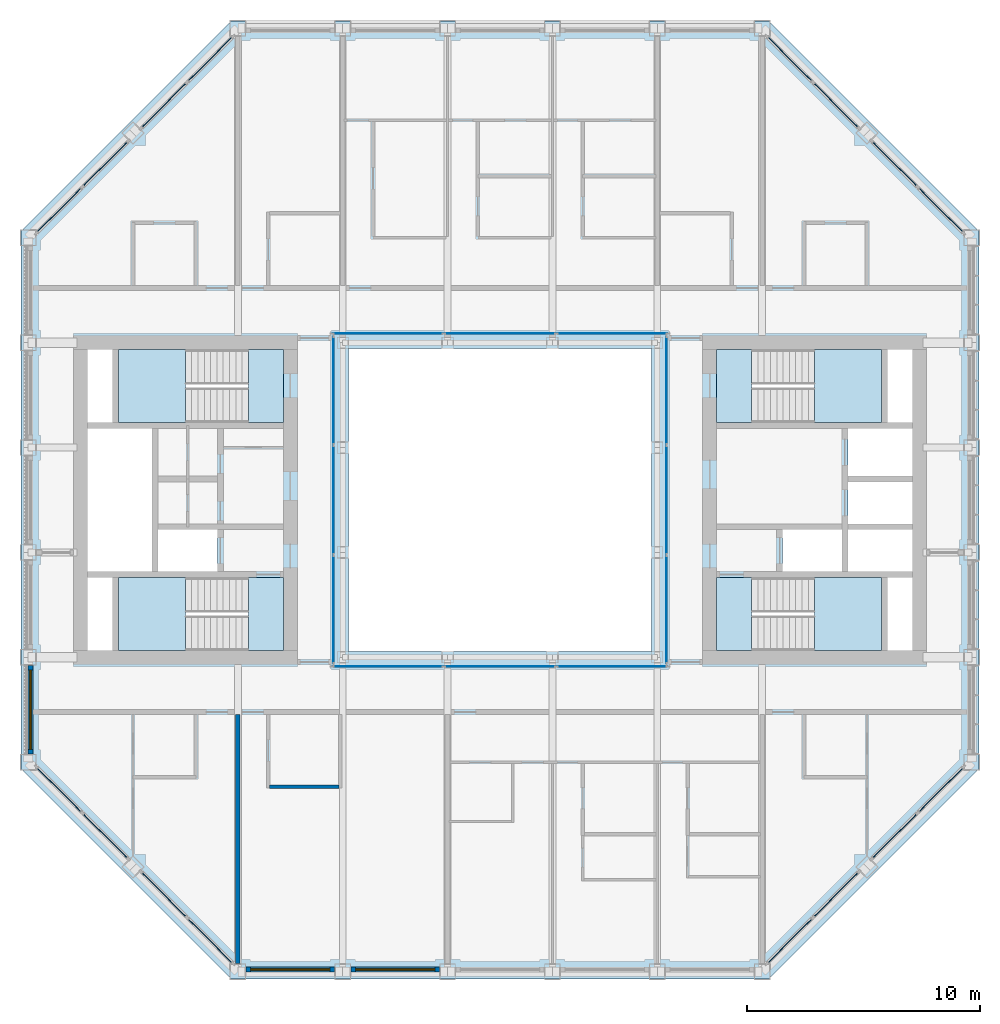
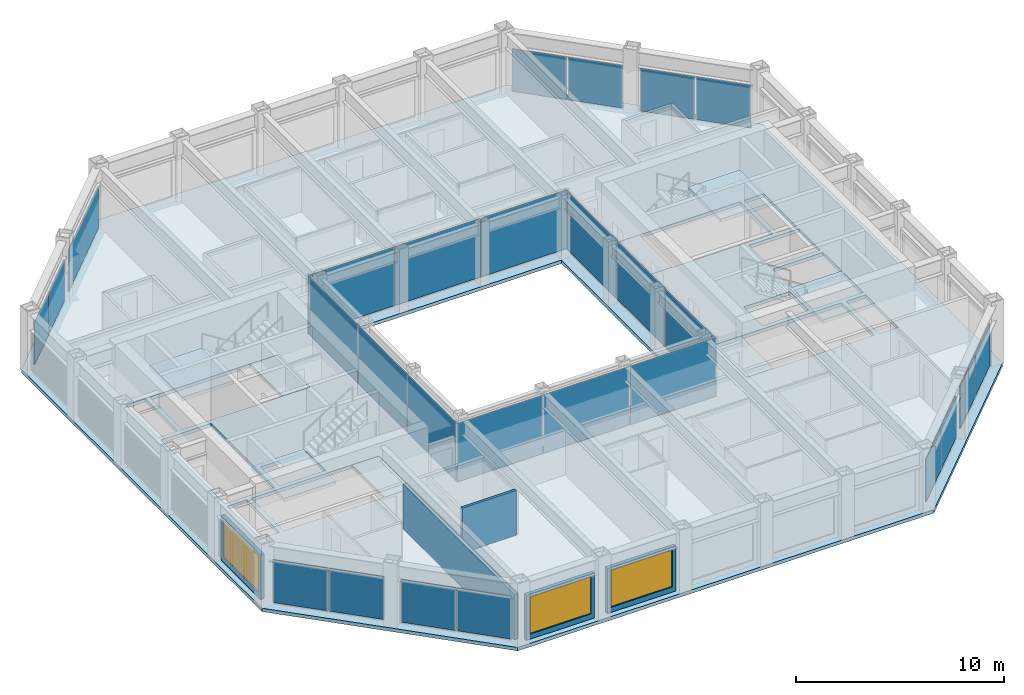
# One storey, part 8 of 17: 28 plates, 9 slabs, 5 walls, 3 windows, 3 openings, 16 elements without a shape of their own.
"""IFC4 building model written with IfcOpenShell, lengths in metres."""

from ifc_helpers import new_model, si_unit, direction, frame, frame_2d, origin, origin_2d, place, context, subcontext, project, spatial, polyline, rectangle, outline, extrude, material, layer, layer_set, type_object, element, fill, aggregate, save


model = new_model("IFC4")

# Units and contexts
model_context = context("Model", 3, precision=1e-05, world=origin(), true_north=direction((0.0, 1.0)))
body_context = subcontext(model_context, "Body", "Model", "MODEL_VIEW")
ifc_project = project(units=[si_unit("LENGTHUNIT", "METRE"), si_unit("AREAUNIT", "SQUARE_METRE"), si_unit("VOLUMEUNIT", "CUBIC_METRE"), si_unit("PLANEANGLEUNIT", "RADIAN"), si_unit("MASSUNIT", "GRAM", prefix="KILO")], contexts=[model_context])

# Site, building, storey
site_placement = place(None, origin())
site = spatial("IfcSite", under=ifc_project, at=site_placement, CompositionType="ELEMENT")
building_placement = place(site_placement, origin())
building = spatial("IfcBuilding", under=site, at=building_placement, Name="Msasa Ring Tower", CompositionType="ELEMENT")
storey_placement = place(building_placement, frame((0.0, 0.0, 238.300048828125)))
storey = spatial("IfcBuildingStorey", under=building, at=storey_placement, Name="L62", CompositionType="ELEMENT", Elevation=238.300048828125)

# Curtain wall, plates
ifc_material_1 = material(Name="Aluminium curtain wall with clear glass", Category="aluminium")
curtain_wall_type_1 = type_object("IfcCurtainWallType", Name="CW-C CHAMFER CORNER CURTAIN WALL", PredefinedType="NOTDEFINED", material=ifc_material_1)
curtain_wall_1_placement = place(storey_placement, origin())
curtain_wall_1 = element("IfcCurtainWall", 1, at=curtain_wall_1_placement, inside=storey, type_object=curtain_wall_type_1, Name="Chamfer corner curtain wall SE L62", PredefinedType="NOTDEFINED")
ifc_material_2 = material(Name="Clear laminated insulating glass unit", Category="glass")
ifc_layer_1 = layer(ifc_material_2, 0.031982421875)
ifc_layer_set_1 = layer_set([ifc_layer_1], Name="CW-C GLASS PANEL 32")
plate_type_1 = type_object("IfcPlateType", Name="CW-C GLASS PANEL 32", PredefinedType="CURTAIN_PANEL", material=ifc_layer_set_1)
plate_1_placement = place(storey_placement, frame((12.44140625, -18.917236328125, 0.06494140625), z_axis=(0.0, 0.0, 1.0), x_axis=(0.707106781187, 0.707106781187, 0.0)))
plate_1 = element("IfcPlate", 2, at=plate_1_placement, type_object=plate_type_1, Name="CW-C panel 1.1", PredefinedType="CURTAIN_PANEL", context=body_context, shape_type="SweptSolid", body=[
    extrude(rectangle(XDim=2.7294921875, YDim=0.031982421875, at=origin_2d()), origin(), (0.0, 0.0, 1.0), 2.4990234375),
])
plate_2_placement = place(storey_placement, frame((14.417236328125, -16.94140625, 0.06494140625), z_axis=(0.0, 0.0, 1.0), x_axis=(0.707106781187, 0.707106781187, 0.0)))
plate_2 = element("IfcPlate", 3, at=plate_2_placement, type_object=plate_type_1, Name="CW-C panel 2.1", PredefinedType="CURTAIN_PANEL", context=body_context, shape_type="SweptSolid", body=[
    extrude(rectangle(XDim=2.7294921875, YDim=0.031982421875, at=origin_2d()), origin(), (0.0, 0.0, 1.0), 2.4990234375),
])
aggregate(curtain_wall_1, [plate_1, plate_2])

curtain_wall_2_placement = place(storey_placement, origin())
curtain_wall_2 = element("IfcCurtainWall", 4, at=curtain_wall_2_placement, inside=storey, type_object=curtain_wall_type_1, Name="Chamfer corner curtain wall SE L62", PredefinedType="NOTDEFINED")
plate_3_placement = place(storey_placement, frame((16.94140625, -14.417236328125, 0.06494140625), z_axis=(0.0, 0.0, 1.0), x_axis=(0.707106781187, 0.707106781187, 0.0)))
plate_3 = element("IfcPlate", 5, at=plate_3_placement, type_object=plate_type_1, Name="CW-C panel 1.1", PredefinedType="CURTAIN_PANEL", context=body_context, shape_type="SweptSolid", body=[
    extrude(rectangle(XDim=2.7294921875, YDim=0.031982421875, at=origin_2d()), origin(), (0.0, 0.0, 1.0), 2.4990234375),
])
plate_4_placement = place(storey_placement, frame((18.917236328125, -12.44140625, 0.06494140625), z_axis=(0.0, 0.0, 1.0), x_axis=(0.707106781187, 0.707106781187, 0.0)))
plate_4 = element("IfcPlate", 6, at=plate_4_placement, type_object=plate_type_1, Name="CW-C panel 2.1", PredefinedType="CURTAIN_PANEL", context=body_context, shape_type="SweptSolid", body=[
    extrude(rectangle(XDim=2.7294921875, YDim=0.031982421875, at=origin_2d()), origin(), (0.0, 0.0, 1.0), 2.4990234375),
])
aggregate(curtain_wall_2, [plate_3, plate_4])

curtain_wall_3_placement = place(storey_placement, origin())
curtain_wall_3 = element("IfcCurtainWall", 7, at=curtain_wall_3_placement, inside=storey, type_object=curtain_wall_type_1, Name="Chamfer corner curtain wall NE L62", PredefinedType="NOTDEFINED")
plate_5_placement = place(storey_placement, frame((14.417236328125, 16.94140625, 0.06494140625), z_axis=(0.0, 0.0, 1.0), x_axis=(-0.707106781187, 0.707106781187, 0.0)))
plate_5 = element("IfcPlate", 8, at=plate_5_placement, type_object=plate_type_1, Name="CW-C panel 1.1", PredefinedType="CURTAIN_PANEL", context=body_context, shape_type="SweptSolid", body=[
    extrude(rectangle(XDim=2.7294921875, YDim=0.031982421875, at=origin_2d()), origin(), (0.0, 0.0, 1.0), 2.4990234375),
])
plate_6_placement = place(storey_placement, frame((12.44140625, 18.917236328125, 0.06494140625), z_axis=(0.0, 0.0, 1.0), x_axis=(-0.707106781187, 0.707106781187, 0.0)))
plate_6 = element("IfcPlate", 9, at=plate_6_placement, type_object=plate_type_1, Name="CW-C panel 2.1", PredefinedType="CURTAIN_PANEL", context=body_context, shape_type="SweptSolid", body=[
    extrude(rectangle(XDim=2.7294921875, YDim=0.031982421875, at=origin_2d()), origin(), (0.0, 0.0, 1.0), 2.4990234375),
])
aggregate(curtain_wall_3, [plate_5, plate_6])

curtain_wall_4_placement = place(storey_placement, origin())
curtain_wall_4 = element("IfcCurtainWall", 10, at=curtain_wall_4_placement, inside=storey, type_object=curtain_wall_type_1, Name="Chamfer corner curtain wall NE L62", PredefinedType="NOTDEFINED")
plate_7_placement = place(storey_placement, frame((18.917236328125, 12.44140625, 0.06494140625), z_axis=(0.0, 0.0, 1.0), x_axis=(-0.707106781187, 0.707106781187, 0.0)))
plate_7 = element("IfcPlate", 11, at=plate_7_placement, type_object=plate_type_1, Name="CW-C panel 1.1", PredefinedType="CURTAIN_PANEL", context=body_context, shape_type="SweptSolid", body=[
    extrude(rectangle(XDim=2.7294921875, YDim=0.031982421875, at=origin_2d()), origin(), (0.0, 0.0, 1.0), 2.4990234375),
])
plate_8_placement = place(storey_placement, frame((16.94140625, 14.417236328125, 0.06494140625), z_axis=(0.0, 0.0, 1.0), x_axis=(-0.707106781187, 0.707106781187, 0.0)))
plate_8 = element("IfcPlate", 12, at=plate_8_placement, type_object=plate_type_1, Name="CW-C panel 2.1", PredefinedType="CURTAIN_PANEL", context=body_context, shape_type="SweptSolid", body=[
    extrude(rectangle(XDim=2.7294921875, YDim=0.031982421875, at=origin_2d()), origin(), (0.0, 0.0, 1.0), 2.4990234375),
])
aggregate(curtain_wall_4, [plate_7, plate_8])

curtain_wall_5_placement = place(storey_placement, origin())
curtain_wall_5 = element("IfcCurtainWall", 13, at=curtain_wall_5_placement, inside=storey, type_object=curtain_wall_type_1, Name="Chamfer corner curtain wall NW L62", PredefinedType="NOTDEFINED")
plate_9_placement = place(storey_placement, frame((-16.94140625, 14.417236328125, 0.06494140625), z_axis=(0.0, 0.0, 1.0), x_axis=(-0.707106781187, -0.707106781187, 0.0)))
plate_9 = element("IfcPlate", 14, at=plate_9_placement, type_object=plate_type_1, Name="CW-C panel 1.1", PredefinedType="CURTAIN_PANEL", context=body_context, shape_type="SweptSolid", body=[
    extrude(rectangle(XDim=2.7294921875, YDim=0.031982421875, at=origin_2d()), origin(), (0.0, 0.0, 1.0), 2.4990234375),
])
plate_10_placement = place(storey_placement, frame((-18.917236328125, 12.44140625, 0.06494140625), z_axis=(0.0, 0.0, 1.0), x_axis=(-0.707106781187, -0.707106781187, 0.0)))
plate_10 = element("IfcPlate", 15, at=plate_10_placement, type_object=plate_type_1, Name="CW-C panel 2.1", PredefinedType="CURTAIN_PANEL", context=body_context, shape_type="SweptSolid", body=[
    extrude(rectangle(XDim=2.7294921875, YDim=0.031982421875, at=origin_2d()), origin(), (0.0, 0.0, 1.0), 2.4990234375),
])
aggregate(curtain_wall_5, [plate_9, plate_10])

curtain_wall_6_placement = place(storey_placement, origin())
curtain_wall_6 = element("IfcCurtainWall", 16, at=curtain_wall_6_placement, inside=storey, type_object=curtain_wall_type_1, Name="Chamfer corner curtain wall NW L62", PredefinedType="NOTDEFINED")
plate_11_placement = place(storey_placement, frame((-12.44140625, 18.917236328125, 0.06494140625), z_axis=(0.0, 0.0, 1.0), x_axis=(-0.707106781187, -0.707106781187, 0.0)))
plate_11 = element("IfcPlate", 17, at=plate_11_placement, type_object=plate_type_1, Name="CW-C panel 1.1", PredefinedType="CURTAIN_PANEL", context=body_context, shape_type="SweptSolid", body=[
    extrude(rectangle(XDim=2.7294921875, YDim=0.031982421875, at=origin_2d()), origin(), (0.0, 0.0, 1.0), 2.4990234375),
])
plate_12_placement = place(storey_placement, frame((-14.417236328125, 16.94140625, 0.06494140625), z_axis=(0.0, 0.0, 1.0), x_axis=(-0.707106781187, -0.707106781187, 0.0)))
plate_12 = element("IfcPlate", 18, at=plate_12_placement, type_object=plate_type_1, Name="CW-C panel 2.1", PredefinedType="CURTAIN_PANEL", context=body_context, shape_type="SweptSolid", body=[
    extrude(rectangle(XDim=2.7294921875, YDim=0.031982421875, at=origin_2d()), origin(), (0.0, 0.0, 1.0), 2.4990234375),
])
aggregate(curtain_wall_6, [plate_11, plate_12])

curtain_wall_7_placement = place(storey_placement, origin())
curtain_wall_7 = element("IfcCurtainWall", 19, at=curtain_wall_7_placement, inside=storey, type_object=curtain_wall_type_1, Name="Chamfer corner curtain wall SW L62", PredefinedType="NOTDEFINED")
plate_13_placement = place(storey_placement, frame((-18.917236328125, -12.44140625, 0.06494140625), z_axis=(0.0, 0.0, 1.0), x_axis=(0.707106781187, -0.707106781187, 0.0)))
plate_13 = element("IfcPlate", 20, at=plate_13_placement, type_object=plate_type_1, Name="CW-C panel 1.1", PredefinedType="CURTAIN_PANEL", context=body_context, shape_type="SweptSolid", body=[
    extrude(rectangle(XDim=2.7294921875, YDim=0.031982421875, at=origin_2d()), origin(), (0.0, 0.0, 1.0), 2.4990234375),
])
plate_14_placement = place(storey_placement, frame((-16.94140625, -14.417236328125, 0.06494140625), z_axis=(0.0, 0.0, 1.0), x_axis=(0.707106781187, -0.707106781187, 0.0)))
plate_14 = element("IfcPlate", 21, at=plate_14_placement, type_object=plate_type_1, Name="CW-C panel 2.1", PredefinedType="CURTAIN_PANEL", context=body_context, shape_type="SweptSolid", body=[
    extrude(rectangle(XDim=2.7294921875, YDim=0.031982421875, at=origin_2d()), origin(), (0.0, 0.0, 1.0), 2.4990234375),
])
aggregate(curtain_wall_7, [plate_13, plate_14])

curtain_wall_8_placement = place(storey_placement, origin())
curtain_wall_8 = element("IfcCurtainWall", 22, at=curtain_wall_8_placement, inside=storey, type_object=curtain_wall_type_1, Name="Chamfer corner curtain wall SW L62", PredefinedType="NOTDEFINED")
plate_15_placement = place(storey_placement, frame((-14.417236328125, -16.94140625, 0.06494140625), z_axis=(0.0, 0.0, 1.0), x_axis=(0.707106781187, -0.707106781187, 0.0)))
plate_15 = element("IfcPlate", 23, at=plate_15_placement, type_object=plate_type_1, Name="CW-C panel 1.1", PredefinedType="CURTAIN_PANEL", context=body_context, shape_type="SweptSolid", body=[
    extrude(rectangle(XDim=2.7294921875, YDim=0.031982421875, at=origin_2d()), origin(), (0.0, 0.0, 1.0), 2.4990234375),
])
plate_16_placement = place(storey_placement, frame((-12.44140625, -18.917236328125, 0.06494140625), z_axis=(0.0, 0.0, 1.0), x_axis=(0.707106781187, -0.707106781187, 0.0)))
plate_16 = element("IfcPlate", 24, at=plate_16_placement, type_object=plate_type_1, Name="CW-C panel 2.1", PredefinedType="CURTAIN_PANEL", context=body_context, shape_type="SweptSolid", body=[
    extrude(rectangle(XDim=2.7294921875, YDim=0.031982421875, at=origin_2d()), origin(), (0.0, 0.0, 1.0), 2.4990234375),
])
aggregate(curtain_wall_8, [plate_15, plate_16])

ifc_material_3 = material(Name="Aluminium curtain wall with clear glass", Category="aluminium")
curtain_wall_type_2 = type_object("IfcCurtainWallType", Name="CW-W LIGHT WELL CURTAIN WALL", PredefinedType="NOTDEFINED", material=ifc_material_3)
curtain_wall_9_placement = place(storey_placement, origin())
curtain_wall_9 = element("IfcCurtainWall", 25, at=curtain_wall_9_placement, inside=storey, type_object=curtain_wall_type_2, Name="Light well curtain wall N L62", PredefinedType="NOTDEFINED")
ifc_material_4 = material(Name="Clear laminated insulating glass unit", Category="glass")
ifc_layer_2 = layer(ifc_material_4, 0.028076171875)
ifc_layer_set_2 = layer_set([ifc_layer_2], Name="CW-W GLASS PANEL 28")
plate_type_2 = type_object("IfcPlateType", Name="CW-W GLASS PANEL 28", PredefinedType="CURTAIN_PANEL", material=ifc_layer_set_2)
plate_17_placement = place(storey_placement, frame((-4.804931640625, 7.14990234375, 0.06005859375), z_axis=(0.0, 0.0, 1.0), x_axis=(1.0, 0.0, 0.0)))
plate_17 = element("IfcPlate", 26, at=plate_17_placement, type_object=plate_type_2, Name="CW-W panel 1.1", PredefinedType="CURTAIN_PANEL", context=body_context, shape_type="SweptSolid", body=[
    extrude(rectangle(XDim=4.72998046875, YDim=0.028076171875, at=origin_2d()), origin(), (0.0, 0.0, 1.0), 3.429931640625),
])
plate_18_placement = place(storey_placement, frame((0.0, 7.14990234375, 0.06005859375), z_axis=(0.0, 0.0, 1.0), x_axis=(1.0, 0.0, 0.0)))
plate_18 = element("IfcPlate", 27, at=plate_18_placement, type_object=plate_type_2, Name="CW-W panel 2.1", PredefinedType="CURTAIN_PANEL", context=body_context, shape_type="SweptSolid", body=[
    extrude(rectangle(XDim=4.760009765625, YDim=0.028076171875, at=origin_2d()), origin(), (0.0, 0.0, 1.0), 3.429931640625),
])
plate_19_placement = place(storey_placement, frame((4.804931640625, 7.14990234375, 0.06005859375), z_axis=(0.0, 0.0, 1.0), x_axis=(1.0, 0.0, 0.0)))
plate_19 = element("IfcPlate", 28, at=plate_19_placement, type_object=plate_type_2, Name="CW-W panel 3.1", PredefinedType="CURTAIN_PANEL", context=body_context, shape_type="SweptSolid", body=[
    extrude(rectangle(XDim=4.72998046875, YDim=0.028076171875, at=origin_2d()), origin(), (0.0, 0.0, 1.0), 3.429931640625),
])
aggregate(curtain_wall_9, [plate_17, plate_18, plate_19])

curtain_wall_10_placement = place(storey_placement, origin())
curtain_wall_10 = element("IfcCurtainWall", 29, at=curtain_wall_10_placement, inside=storey, type_object=curtain_wall_type_2, Name="Light well curtain wall S L62", PredefinedType="NOTDEFINED")
plate_20_placement = place(storey_placement, frame((-4.804931640625, -7.14990234375, 0.06005859375), z_axis=(0.0, 0.0, 1.0), x_axis=(1.0, 0.0, 0.0)))
plate_20 = element("IfcPlate", 30, at=plate_20_placement, type_object=plate_type_2, Name="CW-W panel 1.1", PredefinedType="CURTAIN_PANEL", context=body_context, shape_type="SweptSolid", body=[
    extrude(rectangle(XDim=4.72998046875, YDim=0.028076171875, at=origin_2d()), origin(), (0.0, 0.0, 1.0), 3.429931640625),
])
plate_21_placement = place(storey_placement, frame((0.0, -7.14990234375, 0.06005859375), z_axis=(0.0, 0.0, 1.0), x_axis=(1.0, 0.0, 0.0)))
plate_21 = element("IfcPlate", 31, at=plate_21_placement, type_object=plate_type_2, Name="CW-W panel 2.1", PredefinedType="CURTAIN_PANEL", context=body_context, shape_type="SweptSolid", body=[
    extrude(rectangle(XDim=4.760009765625, YDim=0.028076171875, at=origin_2d()), origin(), (0.0, 0.0, 1.0), 3.429931640625),
])
plate_22_placement = place(storey_placement, frame((4.804931640625, -7.14990234375, 0.06005859375), z_axis=(0.0, 0.0, 1.0), x_axis=(1.0, 0.0, 0.0)))
plate_22 = element("IfcPlate", 32, at=plate_22_placement, type_object=plate_type_2, Name="CW-W panel 3.1", PredefinedType="CURTAIN_PANEL", context=body_context, shape_type="SweptSolid", body=[
    extrude(rectangle(XDim=4.72998046875, YDim=0.028076171875, at=origin_2d()), origin(), (0.0, 0.0, 1.0), 3.429931640625),
])
aggregate(curtain_wall_10, [plate_20, plate_21, plate_22])

curtain_wall_11_placement = place(storey_placement, origin())
curtain_wall_11 = element("IfcCurtainWall", 33, at=curtain_wall_11_placement, inside=storey, type_object=curtain_wall_type_2, Name="Light well curtain wall E L62", PredefinedType="NOTDEFINED")
plate_23_placement = place(storey_placement, frame((7.14990234375, -4.6982421875, 0.06005859375), z_axis=(0.0, 0.0, 1.0), x_axis=(0.0, 1.0, 0.0)))
plate_23 = element("IfcPlate", 34, at=plate_23_placement, type_object=plate_type_2, Name="CW-W panel 1.1", PredefinedType="CURTAIN_PANEL", context=body_context, shape_type="SweptSolid", body=[
    extrude(rectangle(XDim=4.623291015625, YDim=0.028076171875, at=origin_2d()), origin(), (0.0, 0.0, 1.0), 3.429931640625),
])
plate_24_placement = place(storey_placement, frame((7.14990234375, 0.0, 0.06005859375), z_axis=(0.0, 0.0, 1.0), x_axis=(0.0, 1.0, 0.0)))
plate_24 = element("IfcPlate", 35, at=plate_24_placement, type_object=plate_type_2, Name="CW-W panel 2.1", PredefinedType="CURTAIN_PANEL", context=body_context, shape_type="SweptSolid", body=[
    extrude(rectangle(XDim=4.6533203125, YDim=0.028076171875, at=origin_2d()), origin(), (0.0, 0.0, 1.0), 3.429931640625),
])
plate_25_placement = place(storey_placement, frame((7.14990234375, 4.6982421875, 0.06005859375), z_axis=(0.0, 0.0, 1.0), x_axis=(0.0, 1.0, 0.0)))
plate_25 = element("IfcPlate", 36, at=plate_25_placement, type_object=plate_type_2, Name="CW-W panel 3.1", PredefinedType="CURTAIN_PANEL", context=body_context, shape_type="SweptSolid", body=[
    extrude(rectangle(XDim=4.623291015625, YDim=0.028076171875, at=origin_2d()), origin(), (0.0, 0.0, 1.0), 3.429931640625),
])
aggregate(curtain_wall_11, [plate_23, plate_24, plate_25])

curtain_wall_12_placement = place(storey_placement, origin())
curtain_wall_12 = element("IfcCurtainWall", 37, at=curtain_wall_12_placement, inside=storey, type_object=curtain_wall_type_2, Name="Light well curtain wall W L62", PredefinedType="NOTDEFINED")
plate_26_placement = place(storey_placement, frame((-7.14990234375, -4.6982421875, 0.06005859375), z_axis=(0.0, 0.0, 1.0), x_axis=(0.0, 1.0, 0.0)))
plate_26 = element("IfcPlate", 38, at=plate_26_placement, type_object=plate_type_2, Name="CW-W panel 1.1", PredefinedType="CURTAIN_PANEL", context=body_context, shape_type="SweptSolid", body=[
    extrude(rectangle(XDim=4.623291015625, YDim=0.028076171875, at=origin_2d()), origin(), (0.0, 0.0, 1.0), 3.429931640625),
])
plate_27_placement = place(storey_placement, frame((-7.14990234375, 0.0, 0.06005859375), z_axis=(0.0, 0.0, 1.0), x_axis=(0.0, 1.0, 0.0)))
plate_27 = element("IfcPlate", 39, at=plate_27_placement, type_object=plate_type_2, Name="CW-W panel 2.1", PredefinedType="CURTAIN_PANEL", context=body_context, shape_type="SweptSolid", body=[
    extrude(rectangle(XDim=4.6533203125, YDim=0.028076171875, at=origin_2d()), origin(), (0.0, 0.0, 1.0), 3.429931640625),
])
plate_28_placement = place(storey_placement, frame((-7.14990234375, 4.6982421875, 0.06005859375), z_axis=(0.0, 0.0, 1.0), x_axis=(0.0, 1.0, 0.0)))
plate_28 = element("IfcPlate", 40, at=plate_28_placement, type_object=plate_type_2, Name="CW-W panel 3.1", PredefinedType="CURTAIN_PANEL", context=body_context, shape_type="SweptSolid", body=[
    extrude(rectangle(XDim=4.623291015625, YDim=0.028076171875, at=origin_2d()), origin(), (0.0, 0.0, 1.0), 3.429931640625),
])
aggregate(curtain_wall_12, [plate_26, plate_27, plate_28])

# Stair, slabs
ifc_material_5 = material(Name="Concrete C40/50", Category="concrete")
stair_type = type_object("IfcStairType", Name="STC CORE STAIR 22 RISERS 170.5", PredefinedType="HALF_TURN_STAIR", material=ifc_material_5)
stair_1_placement = place(storey_placement, origin())
stair_1 = element("IfcStair", 41, at=stair_1_placement, inside=storey, type_object=stair_type, Name="Core stair SEA L62", PredefinedType="HALF_TURN_STAIR")
ifc_material_6 = material(Name="Concrete C40/50", Category="concrete")
ifc_layer_3 = layer(ifc_material_6, 0.199951171875)
ifc_layer_set_3 = layer_set([ifc_layer_3], Name="LD1 CORE STAIR LANDING 200")
slab_type_1 = type_object("IfcSlabType", Name="LD1 CORE STAIR LANDING 200", PredefinedType="LANDING", material=ifc_layer_set_3)
slab_1_placement = place(storey_placement, frame((0.0, 0.0, -0.199951171875)))
slab_1 = element("IfcSlab", 42, at=slab_1_placement, type_object=slab_type_1, Name="SEA landing 1", PredefinedType="LANDING", context=body_context, shape_type="SweptSolid", body=[
    extrude(outline(polyline([(9.300048828125, -6.449951171875), (10.800048828125, -6.449951171875), (10.800048828125, -3.324951171875), (9.300048828125, -3.324951171875), (9.300048828125, -6.449951171875)])), origin(), (0.0, 0.0, 1.0), 0.199951171875),
])
slab_2_placement = place(storey_placement, frame((0.0, 0.0, 1.675048828125)))
slab_2 = element("IfcSlab", 43, at=slab_2_placement, type_object=slab_type_1, Name="SEA landing 2", PredefinedType="LANDING", context=body_context, shape_type="SweptSolid", body=[
    extrude(outline(polyline([(13.5, -6.449951171875), (16.375, -6.449951171875), (16.375, -3.324951171875), (13.5, -3.324951171875), (13.5, -6.449951171875)])), origin(), (0.0, 0.0, 1.0), 0.199951171875),
])
aggregate(stair_1, [slab_1, slab_2])

stair_2_placement = place(storey_placement, origin())
stair_2 = element("IfcStair", 44, at=stair_2_placement, inside=storey, type_object=stair_type, Name="Core stair SEB L62", PredefinedType="HALF_TURN_STAIR")
slab_3_placement = place(storey_placement, frame((0.0, 0.0, -0.199951171875)))
slab_3 = element("IfcSlab", 45, at=slab_3_placement, type_object=slab_type_1, Name="SEB landing 1", PredefinedType="LANDING", context=body_context, shape_type="SweptSolid", body=[
    extrude(outline(polyline([(9.300048828125, 3.324951171875), (10.800048828125, 3.324951171875), (10.800048828125, 6.449951171875), (9.300048828125, 6.449951171875), (9.300048828125, 3.324951171875)])), origin(), (0.0, 0.0, 1.0), 0.199951171875),
])
slab_4_placement = place(storey_placement, frame((0.0, 0.0, 1.675048828125)))
slab_4 = element("IfcSlab", 46, at=slab_4_placement, type_object=slab_type_1, Name="SEB landing 2", PredefinedType="LANDING", context=body_context, shape_type="SweptSolid", body=[
    extrude(outline(polyline([(13.5, 3.324951171875), (16.375, 3.324951171875), (16.375, 6.449951171875), (13.5, 6.449951171875), (13.5, 3.324951171875)])), origin(), (0.0, 0.0, 1.0), 0.199951171875),
])
aggregate(stair_2, [slab_3, slab_4])

stair_3_placement = place(storey_placement, origin())
stair_3 = element("IfcStair", 47, at=stair_3_placement, inside=storey, type_object=stair_type, Name="Core stair SWA L62", PredefinedType="HALF_TURN_STAIR")
slab_5_placement = place(storey_placement, frame((0.0, 0.0, -0.199951171875)))
slab_5 = element("IfcSlab", 48, at=slab_5_placement, type_object=slab_type_1, Name="SWA landing 1", PredefinedType="LANDING", context=body_context, shape_type="SweptSolid", body=[
    extrude(outline(polyline([(-10.800048828125, -6.449951171875), (-9.300048828125, -6.449951171875), (-9.300048828125, -3.324951171875), (-10.800048828125, -3.324951171875), (-10.800048828125, -6.449951171875)])), origin(), (0.0, 0.0, 1.0), 0.199951171875),
])
slab_6_placement = place(storey_placement, frame((0.0, 0.0, 1.675048828125)))
slab_6 = element("IfcSlab", 49, at=slab_6_placement, type_object=slab_type_1, Name="SWA landing 2", PredefinedType="LANDING", context=body_context, shape_type="SweptSolid", body=[
    extrude(outline(polyline([(-16.375, -6.449951171875), (-13.5, -6.449951171875), (-13.5, -3.324951171875), (-16.375, -3.324951171875), (-16.375, -6.449951171875)])), origin(), (0.0, 0.0, 1.0), 0.199951171875),
])
aggregate(stair_3, [slab_5, slab_6])

stair_4_placement = place(storey_placement, origin())
stair_4 = element("IfcStair", 50, at=stair_4_placement, inside=storey, type_object=stair_type, Name="Core stair SWB L62", PredefinedType="HALF_TURN_STAIR")
slab_7_placement = place(storey_placement, frame((0.0, 0.0, -0.199951171875)))
slab_7 = element("IfcSlab", 51, at=slab_7_placement, type_object=slab_type_1, Name="SWB landing 1", PredefinedType="LANDING", context=body_context, shape_type="SweptSolid", body=[
    extrude(outline(polyline([(-10.800048828125, 3.324951171875), (-9.300048828125, 3.324951171875), (-9.300048828125, 6.449951171875), (-10.800048828125, 6.449951171875), (-10.800048828125, 3.324951171875)])), origin(), (0.0, 0.0, 1.0), 0.199951171875),
])
slab_8_placement = place(storey_placement, frame((0.0, 0.0, 1.675048828125)))
slab_8 = element("IfcSlab", 52, at=slab_8_placement, type_object=slab_type_1, Name="SWB landing 2", PredefinedType="LANDING", context=body_context, shape_type="SweptSolid", body=[
    extrude(outline(polyline([(-16.375, 3.324951171875), (-13.5, 3.324951171875), (-13.5, 6.449951171875), (-16.375, 6.449951171875), (-16.375, 3.324951171875)])), origin(), (0.0, 0.0, 1.0), 0.199951171875),
])
aggregate(stair_4, [slab_7, slab_8])

# Slab
ifc_material_7 = material(Name="Concrete C40/50", Category="concrete")
ifc_layer_4 = layer(ifc_material_7, 0.199951171875)
ifc_layer_set_4 = layer_set([ifc_layer_4], Name="S8 SUITE FLOOR 200")
slab_type_2 = type_object("IfcSlabType", Name="S8 SUITE FLOOR 200", PredefinedType="FLOOR", material=ifc_layer_set_4)
slab_9_placement = place(storey_placement, frame((0.0, 0.0, -0.199951171875)))
element("IfcSlab", 53, at=slab_9_placement, inside=storey, type_object=slab_type_2, Name="Floor slab L62", PredefinedType="FLOOR", context=body_context, shape_type="SweptSolid", body=[
    extrude(outline(polyline([(-11.550048828125, -20.550048828125), (11.550048828125, -20.550048828125), (20.550048828125, -11.550048828125), (20.550048828125, 11.550048828125), (11.550048828125, 20.550048828125), (-11.550048828125, 20.550048828125), (-20.550048828125, 11.550048828125), (-20.550048828125, -11.550048828125), (-11.550048828125, -20.550048828125)]), holes=[polyline([(-6.5, -6.5), (6.5, -6.5), (6.5, 6.5), (-6.5, 6.5), (-6.5, -6.5)]), polyline([(9.300048828125, -6.449951171875), (16.375, -6.449951171875), (16.375, -3.324951171875), (9.300048828125, -3.324951171875), (9.300048828125, -6.449951171875)]), polyline([(9.300048828125, 3.324951171875), (16.375, 3.324951171875), (16.375, 6.449951171875), (9.300048828125, 6.449951171875), (9.300048828125, 3.324951171875)]), polyline([(12.125, -3.074951171875), (14.675048828125, -3.074951171875), (14.675048828125, -1.27490234375), (12.125, -1.27490234375), (12.125, -3.074951171875)]), polyline([(16.625, -6.449951171875), (17.699951171875, -6.449951171875), (17.699951171875, -3.324951171875), (16.625, -3.324951171875), (16.625, -6.449951171875)]), polyline([(16.625, 3.324951171875), (17.699951171875, 3.324951171875), (17.699951171875, 6.449951171875), (16.625, 6.449951171875), (16.625, 3.324951171875)]), polyline([(14.925048828125, -3.074951171875), (17.699951171875, -3.074951171875), (17.699951171875, -1.27490234375), (14.925048828125, -1.27490234375), (14.925048828125, -3.074951171875)]), polyline([(14.925048828125, -1.02490234375), (17.699951171875, -1.02490234375), (17.699951171875, 0.77490234375), (14.925048828125, 0.77490234375), (14.925048828125, -1.02490234375)]), polyline([(14.925048828125, 1.02490234375), (17.699951171875, 1.02490234375), (17.699951171875, 3.074951171875), (14.925048828125, 3.074951171875), (14.925048828125, 1.02490234375)]), polyline([(-16.375, -6.449951171875), (-9.300048828125, -6.449951171875), (-9.300048828125, -3.324951171875), (-16.375, -3.324951171875), (-16.375, -6.449951171875)]), polyline([(-16.375, 3.324951171875), (-9.300048828125, 3.324951171875), (-9.300048828125, 6.449951171875), (-16.375, 6.449951171875), (-16.375, 3.324951171875)]), polyline([(-14.675048828125, -3.074951171875), (-12.125, -3.074951171875), (-12.125, -1.27490234375), (-14.675048828125, -1.27490234375), (-14.675048828125, -3.074951171875)]), polyline([(-17.699951171875, -6.449951171875), (-16.625, -6.449951171875), (-16.625, -3.324951171875), (-17.699951171875, -3.324951171875), (-17.699951171875, -6.449951171875)]), polyline([(-17.699951171875, 3.324951171875), (-16.625, 3.324951171875), (-16.625, 6.449951171875), (-17.699951171875, 6.449951171875), (-17.699951171875, 3.324951171875)]), polyline([(-17.699951171875, -3.074951171875), (-14.925048828125, -3.074951171875), (-14.925048828125, 3.074951171875), (-17.699951171875, 3.074951171875), (-17.699951171875, -3.074951171875)])]), origin(), (0.0, 0.0, 1.0), 0.199951171875),
])

# Wall, opening, window
ifc_material_8 = material(Name="Terracotta rainscreen on blockwork", Category="masonry")
ifc_layer_5 = layer(ifc_material_8, 0.199951171875)
ifc_layer_set_5 = layer_set([ifc_layer_5], Name="FW1 TERRACOTTA-LINED INFILL BAY WALL 200")
wall_type_1 = type_object("IfcWallType", Name="FW1 TERRACOTTA-LINED INFILL BAY WALL 200", PredefinedType="SOLIDWALL", material=ifc_layer_set_5)
wall_1_placement = place(storey_placement, frame((-10.89501953125, -20.14990234375, 0.0), z_axis=(0.0, 0.0, 1.0), x_axis=(1.0, 0.0, 0.0)))
wall_1 = element("IfcWall", 54, at=wall_1_placement, inside=storey, type_object=wall_type_1, Name="Infill bay wall S L62 00", PredefinedType="SOLIDWALL", context=body_context, shape_type="SweptSolid", body=[
    extrude(rectangle(XDim=3.7900390625, YDim=0.199951171875, at=frame_2d((1.89501953125, 0.0))), origin(), (0.0, 0.0, 1.0), 2.62890625),
])
opening_1_placement = place(wall_1_placement, frame((0.195068359375, 0.0, 0.300048828125)))
opening_1 = element("IfcOpeningElement", 55, at=opening_1_placement, cuts=wall_1, Name="Opening WN3", PredefinedType="OPENING", context=body_context, shape_type="SweptSolid", body=[
    extrude(rectangle(XDim=3.39990234375, YDim=2.178955078125, at=frame_2d((1.699951171875, 1.08935546875))), frame((0.0, 0.10986328125, 0.0), z_axis=(0.0, -1.0, 0.0), x_axis=(1.0, 0.0, 0.0)), (0.0, 0.0, 1.0), 0.219970703125),
])
ifc_material_9 = material(Name="Aluminium frame with clear glass", Category="aluminium")
window_type = type_object("IfcWindowType", Name="WN3 SUITE WINDOW 3400x2179", PartitioningType="SINGLE_PANEL", PredefinedType="WINDOW", material=ifc_material_9)
window_1_placement = place(opening_1_placement, origin())
window_1 = element("IfcWindow", 56, at=window_1_placement, inside=storey, type_object=window_type, Name="Window S L62 00", OverallHeight=2.178955078125, OverallWidth=3.39990234375, PartitioningType="SINGLE_PANEL", PredefinedType="WINDOW", context=body_context, shape_type="SweptSolid", body=[
    extrude(rectangle(XDim=3.39990234375, YDim=2.178955078125, at=frame_2d((1.699951171875, 1.08935546875))), frame((0.0, 0.030029296875, 0.0), z_axis=(0.0, -1.0, 0.0), x_axis=(1.0, 0.0, 0.0)), (0.0, 0.0, 1.0), 0.06005859375),
])
fill(opening_1, window_1)

wall_2_placement = place(storey_placement, frame((-6.39501953125, -20.14990234375, 0.0), z_axis=(0.0, 0.0, 1.0), x_axis=(1.0, 0.0, 0.0)))
wall_2 = element("IfcWall", 57, at=wall_2_placement, inside=storey, type_object=wall_type_1, Name="Infill bay wall S L62 01", PredefinedType="SOLIDWALL", context=body_context, shape_type="SweptSolid", body=[
    extrude(rectangle(XDim=3.7900390625, YDim=0.199951171875, at=frame_2d((1.89501953125, 0.0))), origin(), (0.0, 0.0, 1.0), 2.62890625),
])
opening_2_placement = place(wall_2_placement, frame((0.195068359375, 0.0, 0.300048828125)))
opening_2 = element("IfcOpeningElement", 58, at=opening_2_placement, cuts=wall_2, Name="Opening WN3", PredefinedType="OPENING", context=body_context, shape_type="SweptSolid", body=[
    extrude(rectangle(XDim=3.39990234375, YDim=2.178955078125, at=frame_2d((1.699951171875, 1.08935546875))), frame((0.0, 0.10986328125, 0.0), z_axis=(0.0, -1.0, 0.0), x_axis=(1.0, 0.0, 0.0)), (0.0, 0.0, 1.0), 0.219970703125),
])
window_2_placement = place(opening_2_placement, origin())
window_2 = element("IfcWindow", 59, at=window_2_placement, inside=storey, type_object=window_type, Name="Window S L62 01", OverallHeight=2.178955078125, OverallWidth=3.39990234375, PartitioningType="SINGLE_PANEL", PredefinedType="WINDOW", context=body_context, shape_type="SweptSolid", body=[
    extrude(rectangle(XDim=3.39990234375, YDim=2.178955078125, at=frame_2d((1.699951171875, 1.08935546875))), frame((0.0, 0.030029296875, 0.0), z_axis=(0.0, -1.0, 0.0), x_axis=(1.0, 0.0, 0.0)), (0.0, 0.0, 1.0), 0.06005859375),
])
fill(opening_2, window_2)

wall_3_placement = place(storey_placement, frame((-20.14990234375, -10.89501953125, 0.0), z_axis=(0.0, 0.0, 1.0), x_axis=(0.0, 1.0, 0.0)))
wall_3 = element("IfcWall", 60, at=wall_3_placement, inside=storey, type_object=wall_type_1, Name="Infill bay wall W L62 21", PredefinedType="SOLIDWALL", context=body_context, shape_type="SweptSolid", body=[
    extrude(rectangle(XDim=3.7900390625, YDim=0.199951171875, at=frame_2d((1.89501953125, 0.0))), origin(), (0.0, 0.0, 1.0), 2.62890625),
])
opening_3_placement = place(wall_3_placement, frame((0.195068359375, 0.0, 0.300048828125)))
opening_3 = element("IfcOpeningElement", 61, at=opening_3_placement, cuts=wall_3, Name="Opening WN3", PredefinedType="OPENING", context=body_context, shape_type="SweptSolid", body=[
    extrude(rectangle(XDim=3.39990234375, YDim=2.178955078125, at=frame_2d((1.699951171875, 1.08935546875))), frame((0.0, 0.10986328125, 0.0), z_axis=(0.0, -1.0, 0.0), x_axis=(1.0, 0.0, 0.0)), (0.0, 0.0, 1.0), 0.219970703125),
])
window_3_placement = place(opening_3_placement, origin())
window_3 = element("IfcWindow", 62, at=window_3_placement, inside=storey, type_object=window_type, Name="Window W L62 21", OverallHeight=2.178955078125, OverallWidth=3.39990234375, PartitioningType="SINGLE_PANEL", PredefinedType="WINDOW", context=body_context, shape_type="SweptSolid", body=[
    extrude(rectangle(XDim=3.39990234375, YDim=2.178955078125, at=frame_2d((1.699951171875, 1.08935546875))), frame((0.0, 0.030029296875, 0.0), z_axis=(0.0, -1.0, 0.0), x_axis=(1.0, 0.0, 0.0)), (0.0, 0.0, 1.0), 0.06005859375),
])
fill(opening_3, window_3)

# Walls
ifc_material_10 = material(Name="Dense concrete blockwork, plastered both faces", Category="masonry")
ifc_layer_6 = layer(ifc_material_10, 0.25)
ifc_layer_set_6 = layer_set([ifc_layer_6], Name="PT3 APARTMENT SEPARATING WALL 250")
wall_type_2 = type_object("IfcWallType", Name="PT3 APARTMENT SEPARATING WALL 250", PredefinedType="PARTITIONING", material=ifc_layer_set_6)
wall_4_placement = place(storey_placement, frame((-11.25, -19.89990234375, 0.0), z_axis=(0.0, 0.0, 1.0), x_axis=(0.0, 1.0, 0.0)))
element("IfcWall", 63, at=wall_4_placement, inside=storey, type_object=wall_type_2, Name="Party wall L62-PWS-11.25", PredefinedType="PARTITIONING", context=body_context, shape_type="SweptSolid", body=[
    extrude(rectangle(XDim=10.699951171875, YDim=0.199951171875, at=frame_2d((5.35009765625, 0.0))), origin(), (0.0, 0.0, 1.0), 2.62890625),
])
ifc_material_11 = material(Name="Moisture-resistant board on steel studs with a concealed cistern and pipe void, tiled", Category="steel")
ifc_layer_7 = layer(ifc_material_11, 0.14990234375)
ifc_layer_set_7 = layer_set([ifc_layer_7], Name="PT4 BATHROOM WET WALL 150")
wall_type_3 = type_object("IfcWallType", Name="PT4 BATHROOM WET WALL 150", PredefinedType="PARTITIONING", material=ifc_layer_set_7)
wall_5_placement = place(storey_placement, frame((-9.89990234375, -12.300048828125, 0.0), z_axis=(0.0, 0.0, 1.0), x_axis=(1.0, 0.0, 0.0)))
element("IfcWall", 64, at=wall_5_placement, inside=storey, type_object=wall_type_3, Name="Partition L62-JS00BY", PredefinedType="PARTITIONING", context=body_context, shape_type="SweptSolid", body=[
    extrude(rectangle(XDim=3.0, YDim=0.14990234375, at=frame_2d((1.5, 0.0))), origin(), (0.0, 0.0, 1.0), 2.62890625),
])

save(model, "model.ifc")
